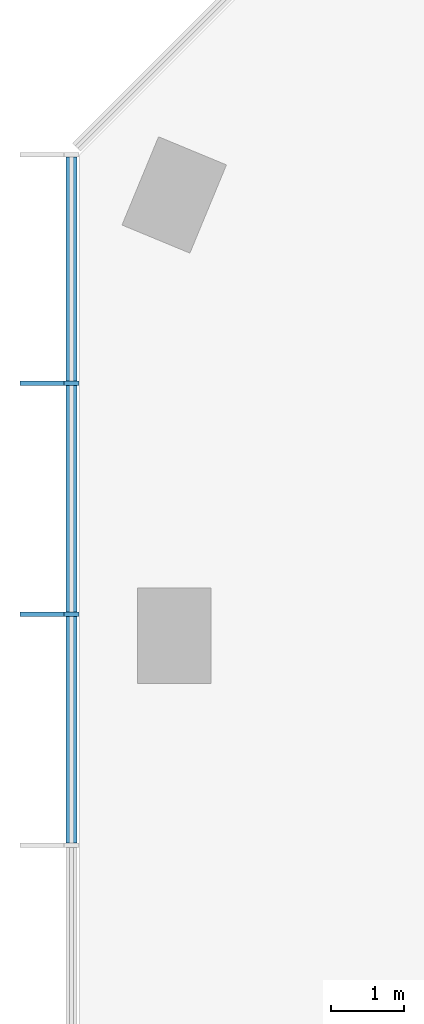
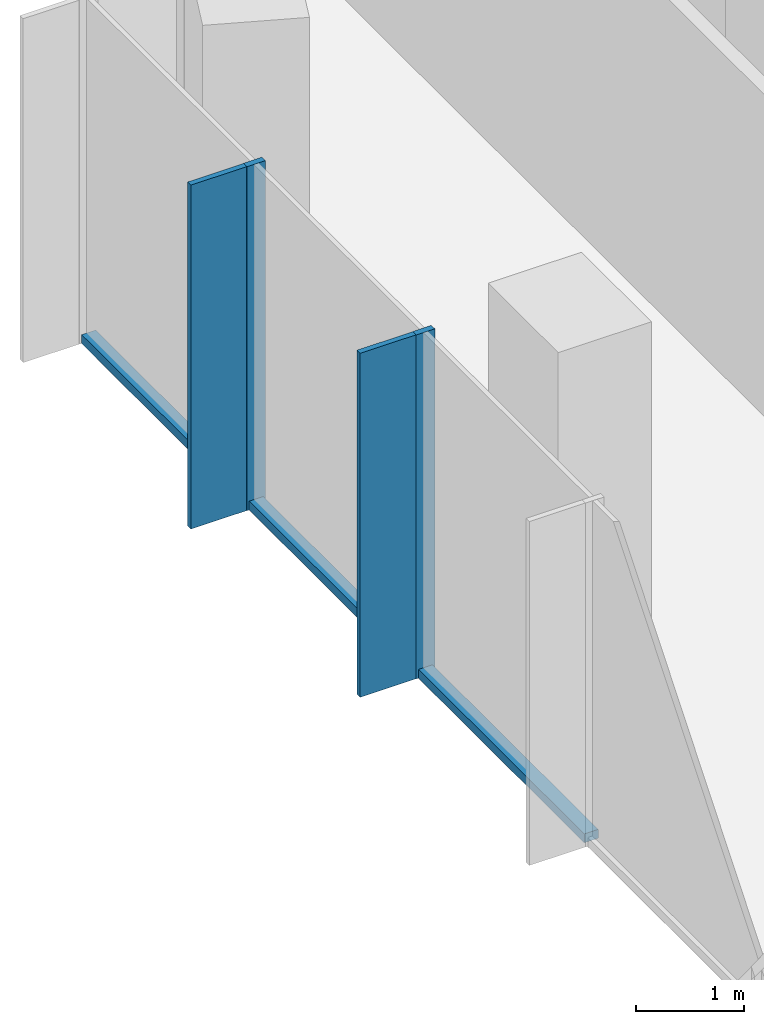
# One storey, part 3 of 10: 7 members, 1 element without a shape of its own.
"""IFC4 building model written with IfcOpenShell, lengths in metres."""

from ifc_helpers import new_model, si_unit, direction, frame, origin, origin_2d, place, context, subcontext, project, spatial, rectangle, extrude, material, layer, layer_set, material_profile, profile_set, type_object, element, aggregate, save


model = new_model("IFC4")

# Units and contexts
model_context = context("Model", 3, precision=1e-05, world=origin(), true_north=direction((0.0, 1.0)))
body_context = subcontext(model_context, "Body", "Model", "MODEL_VIEW")
ifc_project = project(units=[si_unit("LENGTHUNIT", "METRE"), si_unit("AREAUNIT", "SQUARE_METRE"), si_unit("VOLUMEUNIT", "CUBIC_METRE"), si_unit("PLANEANGLEUNIT", "RADIAN"), si_unit("MASSUNIT", "GRAM", prefix="KILO")], contexts=[model_context])

# Site, building, storey
site_placement = place(None, origin())
site = spatial("IfcSite", under=ifc_project, at=site_placement, CompositionType="ELEMENT")
building_placement = place(site_placement, origin())
building = spatial("IfcBuilding", under=site, at=building_placement, Name="Highveld Stack Headquarters", CompositionType="ELEMENT")
storey_placement = place(building_placement, frame((0.0, 0.0, 256.699951171875)))
storey = spatial("IfcBuildingStorey", under=building, at=storey_placement, Name="L63", CompositionType="ELEMENT", Elevation=256.699951171875)

# Curtain wall, members
ifc_material_1 = material(Name="Aluminium bronze anodised", Category="aluminium")
ifc_layer = layer(ifc_material_1, 0.199951171875)
ifc_layer_set = layer_set([ifc_layer], Name="Aluminium bronze anodised")
curtain_wall_type = type_object("IfcCurtainWallType", Name="CW5 EXECUTIVE UNITISED CURTAIN WALL", PredefinedType="NOTDEFINED", material=ifc_layer_set)
curtain_wall_placement = place(storey_placement, origin())
curtain_wall = element("IfcCurtainWall", 1, at=curtain_wall_placement, inside=storey, type_object=curtain_wall_type, Name="Curtain wall CW5 L63 W", PredefinedType="NOTDEFINED")
ifc_material_2 = material(Name="Aluminium bronze anodised", Category="aluminium")
ifc_material_profile_1 = material_profile(ifc_material_2, rectangle(XDim=0.60009765625, YDim=0.06005859375, at=origin_2d()), Name="FIN 600x60")
ifc_profile_set_1 = profile_set([ifc_material_profile_1], Name="Aluminium bronze anodised")
member_type_1 = type_object("IfcMemberType", Name="CW5 BRONZE FIN 600x60", PredefinedType="USERDEFINED", material=ifc_profile_set_1)
member_1_placement = place(storey_placement, frame((-13.800048828125, 15.434814453125, 0.0), z_axis=(0.0, 0.0, 1.0), x_axis=(1.0, 0.0, 0.0)))
member_1 = element("IfcMember", 2, at=member_1_placement, type_object=member_type_1, Name="CW5 fin L63 2", ObjectType="FIN", PredefinedType="USERDEFINED", context=body_context, shape_type="SweptSolid", body=[
    extrude(rectangle(XDim=0.60009765625, YDim=0.06005859375, at=origin_2d()), origin(), (0.0, 0.0, 1.0), 3.900146484375),
])
member_2_placement = place(storey_placement, frame((-13.800048828125, 12.289794921875, 0.0), z_axis=(0.0, 0.0, 1.0), x_axis=(1.0, 0.0, 0.0)))
member_2 = element("IfcMember", 3, at=member_2_placement, type_object=member_type_1, Name="CW5 fin L63 3", ObjectType="FIN", PredefinedType="USERDEFINED", context=body_context, shape_type="SweptSolid", body=[
    extrude(rectangle(XDim=0.60009765625, YDim=0.06005859375, at=origin_2d()), origin(), (0.0, 0.0, 1.0), 3.900146484375),
])
ifc_material_3 = material(Name="Aluminium bronze anodised", Category="aluminium")
ifc_material_profile_2 = material_profile(ifc_material_3, rectangle(XDim=0.199951171875, YDim=0.06494140625, at=origin_2d()), Name="CW5 MULLION 65x200")
ifc_profile_set_2 = profile_set([ifc_material_profile_2], Name="Aluminium bronze anodised")
member_type_2 = type_object("IfcMemberType", Name="CW5 MULLION 65x200", PredefinedType="MULLION", material=ifc_profile_set_2)
member_3_placement = place(storey_placement, frame((-13.39990234375, 15.434814453125, 0.0), z_axis=(0.0, 0.0, 1.0), x_axis=(1.0, 0.0, 0.0)))
member_3 = element("IfcMember", 4, at=member_3_placement, type_object=member_type_2, Name="CW5 mullion L63 2", PredefinedType="MULLION", context=body_context, shape_type="SweptSolid", body=[
    extrude(rectangle(XDim=0.199951171875, YDim=0.06494140625, at=origin_2d()), origin(), (0.0, 0.0, 1.0), 3.900146484375),
])
member_4_placement = place(storey_placement, frame((-13.39990234375, 12.289794921875, 0.0), z_axis=(0.0, 0.0, 1.0), x_axis=(1.0, 0.0, 0.0)))
member_4 = element("IfcMember", 5, at=member_4_placement, type_object=member_type_2, Name="CW5 mullion L63 3", PredefinedType="MULLION", context=body_context, shape_type="SweptSolid", body=[
    extrude(rectangle(XDim=0.199951171875, YDim=0.06494140625, at=origin_2d()), origin(), (0.0, 0.0, 1.0), 3.900146484375),
])
ifc_material_4 = material(Name="Aluminium bronze anodised", Category="aluminium")
ifc_material_profile_3 = material_profile(ifc_material_4, rectangle(XDim=0.14990234375, YDim=0.10009765625, at=origin_2d()), Name="CW5 TRANSOM 150x100")
ifc_profile_set_3 = profile_set([ifc_material_profile_3], Name="Aluminium bronze anodised")
member_type_3 = type_object("IfcMemberType", Name="CW5 STACK TRANSOM 150x100", PredefinedType="USERDEFINED", material=ifc_profile_set_3)
member_5_placement = place(storey_placement, frame((-13.39990234375, 18.514892578125, 0.050048828125), z_axis=(0.0, -1.0, 0.0), x_axis=(1.0, 0.0, 0.0)))
member_5 = element("IfcMember", 6, at=member_5_placement, type_object=member_type_3, Name="CW5 transom L63 1.1", ObjectType="TRANSOM", PredefinedType="USERDEFINED", context=body_context, shape_type="SweptSolid", body=[
    extrude(rectangle(XDim=0.14990234375, YDim=0.10009765625, at=origin_2d()), origin(), (0.0, 0.0, 1.0), 3.047607421875),
])
member_6_placement = place(storey_placement, frame((-13.39990234375, 15.40234375, 0.050048828125), z_axis=(0.0, -1.0, 0.0), x_axis=(1.0, 0.0, 0.0)))
member_6 = element("IfcMember", 7, at=member_6_placement, type_object=member_type_3, Name="CW5 transom L63 2.1", ObjectType="TRANSOM", PredefinedType="USERDEFINED", context=body_context, shape_type="SweptSolid", body=[
    extrude(rectangle(XDim=0.14990234375, YDim=0.10009765625, at=origin_2d()), origin(), (0.0, 0.0, 1.0), 3.079833984375),
])
member_7_placement = place(storey_placement, frame((-13.39990234375, 12.25732421875, 0.050048828125), z_axis=(0.0, -1.0, 0.0), x_axis=(1.0, 0.0, 0.0)))
member_7 = element("IfcMember", 8, at=member_7_placement, type_object=member_type_3, Name="CW5 transom L63 3.1", ObjectType="TRANSOM", PredefinedType="USERDEFINED", context=body_context, shape_type="SweptSolid", body=[
    extrude(rectangle(XDim=0.14990234375, YDim=0.10009765625, at=origin_2d()), origin(), (0.0, 0.0, 1.0), 3.079833984375),
])
aggregate(curtain_wall, [member_3, member_1, member_4, member_2, member_5, member_6, member_7])

save(model, "model.ifc")
